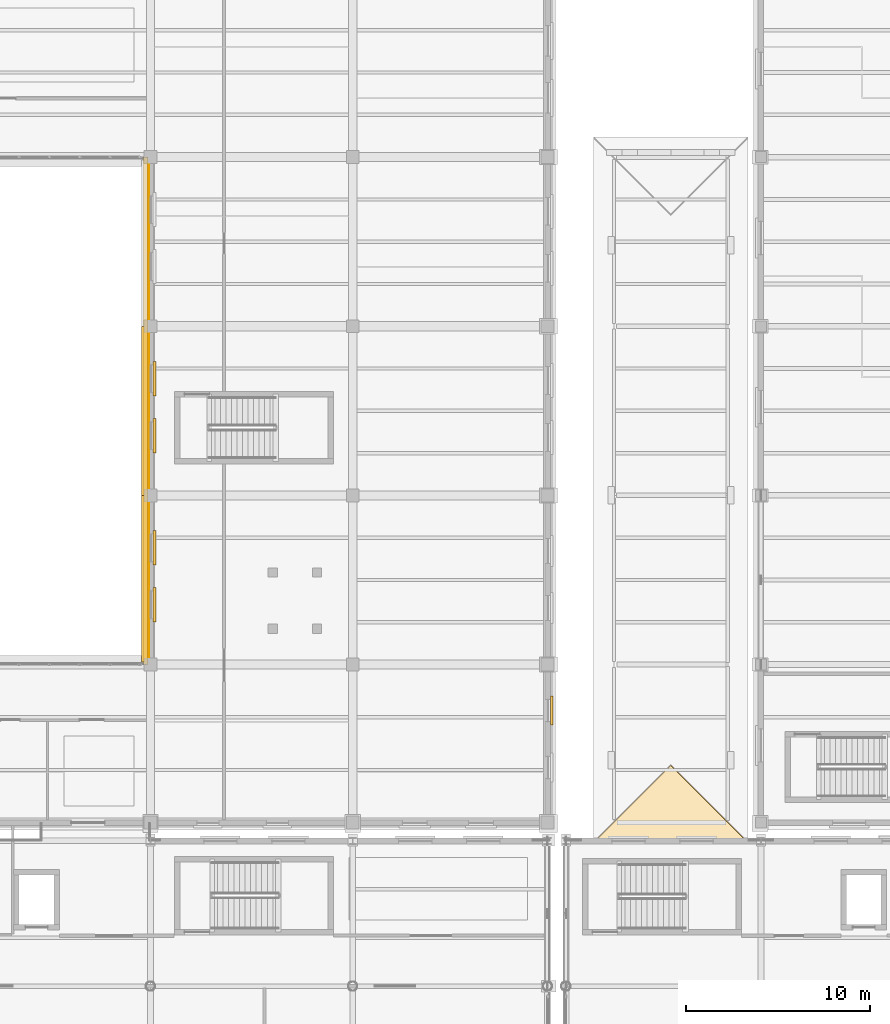
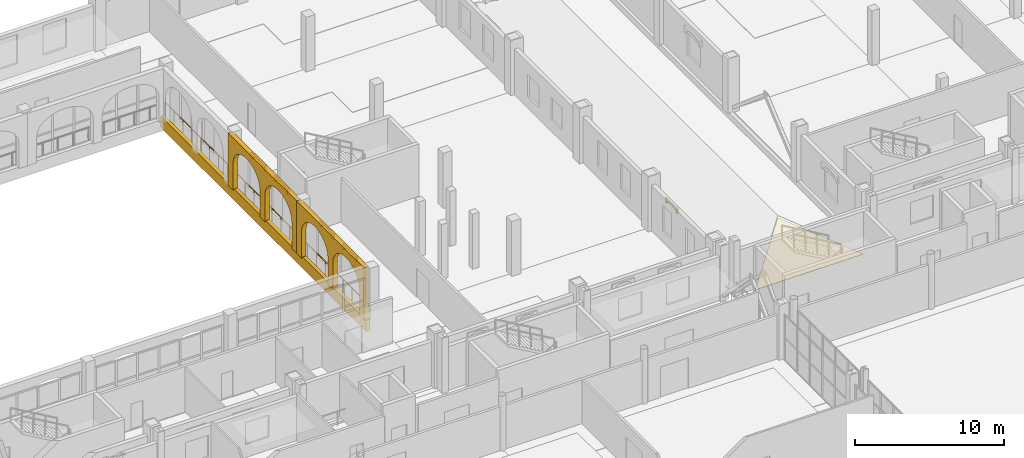
# One storey, part 143 of 156: 9 coverings, 1 railing.
"""IFC4 building model written with IfcOpenShell, lengths in metres."""

from ifc_helpers import new_model, si_unit, direction, frame, frame_2d, origin, origin_2d, place, context, subcontext, project, spatial, polyline, rectangle, circle, outline, extrude, material, layer, layer_set, type_object, element, save


model = new_model("IFC4")

# Units and contexts
model_context = context("Model", 3, precision=1e-05, world=origin(), true_north=direction((0.0, 1.0)))
body_context = subcontext(model_context, "Body", "Model", "MODEL_VIEW")
ifc_project = project(units=[si_unit("LENGTHUNIT", "METRE"), si_unit("AREAUNIT", "SQUARE_METRE"), si_unit("VOLUMEUNIT", "CUBIC_METRE"), si_unit("PLANEANGLEUNIT", "RADIAN"), si_unit("MASSUNIT", "GRAM", prefix="KILO")], contexts=[model_context])

# Site, building, storey
site_placement = place(None, origin())
site = spatial("IfcSite", under=ifc_project, at=site_placement, CompositionType="ELEMENT")
building_placement = place(site_placement, origin())
building = spatial("IfcBuilding", under=site, at=building_placement, Name="Caurita Quay Ferry Terminal", CompositionType="ELEMENT")
storey_placement = place(building_placement, frame((0.0, 0.0, 5.39990234375)))
storey = spatial("IfcBuildingStorey", under=building, at=storey_placement, Name="L01", CompositionType="ELEMENT", Elevation=5.39990234375)

# Coverings
ifc_material_1 = material(Name="Warm-white lime stucco masonry", Category="masonry")
ifc_layer_1 = layer(ifc_material_1, 0.360107421875, Name="Spanish Colonial semicircular lime-stucco portales arcade 360 mm")
ifc_layer_set_1 = layer_set([ifc_layer_1], Name="Warm-white lime stucco masonry")
covering_type_1 = type_object("IfcCoveringType", Name="COV-ARC-CLD", PredefinedType="CLADDING", material=ifc_layer_set_1)
covering_1_placement = place(storey_placement, frame((65.679931640625, 89.39990234375, 0.0), z_axis=(0.0, 0.0, 1.0), x_axis=(0.0, -1.0, 0.0)))
element("IfcCovering", 1, at=covering_1_placement, inside=storey, type_object=covering_type_1, Name="L01 Courtyard East Cloister Arcade 062", PredefinedType="CLADDING", context=body_context, shape_type="SweptSolid", body=[
    extrude(outline(polyline([(0.0, 0.0), (0.64990234375, 0.0), (0.64990234375, 2.14990234375), (0.71044921875, 2.55126953125), (0.8876953125, 2.925048828125), (1.169921875, 3.24609375), (1.537353515625, 3.492431640625), (1.965576171875, 3.647216796875), (2.425048828125, 3.699951171875), (2.88427734375, 3.647216796875), (3.3125, 3.492431640625), (3.679931640625, 3.24609375), (3.962158203125, 2.925048828125), (4.139404296875, 2.55126953125), (4.199951171875, 2.14990234375), (4.199951171875, 0.0), (4.849853515625, 0.0), (4.849853515625, 2.14990234375), (4.910400390625, 2.55126953125), (5.087646484375, 2.925048828125), (5.369873046875, 3.24609375), (5.7373046875, 3.492431640625), (6.16552734375, 3.647216796875), (6.624755859375, 3.699951171875), (7.084228515625, 3.647216796875), (7.51220703125, 3.492431640625), (7.8798828125, 3.24609375), (8.162109375, 2.925048828125), (8.33935546875, 2.55126953125), (8.39990234375, 2.14990234375), (8.39990234375, 0.0), (9.0498046875, 0.0), (9.0498046875, 4.300048828125), (0.0, 4.300048828125), (0.0, 0.0)])), frame((0.0, 0.18017578125, 0.0), z_axis=(0.0, -1.0, 0.0), x_axis=(1.0, 0.0, 0.0)), (0.0, 0.0, 1.0), 0.360107421875),
])
covering_2_placement = place(storey_placement, frame((65.679931640625, 98.60009765625, 0.0), z_axis=(0.0, 0.0, 1.0), x_axis=(0.0, -1.0, 0.0)))
element("IfcCovering", 2, at=covering_2_placement, inside=storey, type_object=covering_type_1, Name="L01 Courtyard East Cloister Arcade 064", PredefinedType="CLADDING", context=body_context, shape_type="SweptSolid", body=[
    extrude(outline(polyline([(0.0, 0.0), (0.64990234375, 0.0), (0.64990234375, 2.14990234375), (0.711669921875, 2.55126953125), (0.892822265625, 2.925048828125), (1.180908203125, 3.24609375), (1.55615234375, 3.492431640625), (1.993408203125, 3.647216796875), (2.462646484375, 3.699951171875), (2.931640625, 3.647216796875), (3.368896484375, 3.492431640625), (3.744140625, 3.24609375), (4.0322265625, 2.925048828125), (4.21337890625, 2.55126953125), (4.275146484375, 2.14990234375), (4.275146484375, 0.0), (4.925048828125, 0.0), (4.925048828125, 2.14990234375), (4.98681640625, 2.55126953125), (5.16796875, 2.925048828125), (5.4560546875, 3.24609375), (5.831298828125, 3.492431640625), (6.2685546875, 3.647216796875), (6.737548828125, 3.699951171875), (7.206787109375, 3.647216796875), (7.64404296875, 3.492431640625), (8.019287109375, 3.24609375), (8.307373046875, 2.925048828125), (8.488525390625, 2.55126953125), (8.55029296875, 2.14990234375), (8.55029296875, 0.0), (9.2001953125, 0.0), (9.2001953125, 4.300048828125), (0.0, 4.300048828125), (0.0, 0.0)])), frame((0.0, 0.18017578125, 0.0), z_axis=(0.0, -1.0, 0.0), x_axis=(1.0, 0.0, 0.0)), (0.0, 0.0, 1.0), 0.360107421875),
])
ifc_material_2 = material(Name="Coral stone ashlar cladding", Category="masonry")
ifc_layer_2 = layer(ifc_material_2, 0.239990234375, Name="Classical coral-stone entablature and cornice moulding 240 mm")
ifc_layer_set_2 = layer_set([ifc_layer_2], Name="Coral stone ashlar cladding")
covering_type_2 = type_object("IfcCoveringType", Name="COV-ENT-MLD", PredefinedType="MOLDING", material=ifc_layer_set_2)
covering_3_placement = place(storey_placement, frame((65.719970703125, 107.800048828125, -0.849853515625), z_axis=(0.0, 0.0, 1.0), x_axis=(0.0, -1.0, 0.0)))
element("IfcCovering", 3, at=covering_3_placement, inside=storey, type_object=covering_type_2, Name="L01 Classical Entablature Cornice 022", PredefinedType="MOLDING", context=body_context, shape_type="SweptSolid", body=[
    extrude(rectangle(XDim=27.60009765625, YDim=0.280029296875, at=frame_2d((13.800048828125, 0.0))), origin(), (0.0, 0.0, 1.0), 0.929931640625),
])
ifc_material_3 = material(Name="Terracotta clay barrel tile", Category="masonry")
ifc_layer_3 = layer(ifc_material_3, 0.06494140625, Name="Terracotta clay barrel-tile roofing course")
ifc_layer_set_3 = layer_set([ifc_layer_3], Name="Terracotta clay barrel tile")
covering_type_3 = type_object("IfcCoveringType", Name="COV-TEJA-ROOF", PredefinedType="ROOFING", material=ifc_layer_set_3)
covering_4_placement = place(storey_placement, frame((90.10009765625, 70.5, -0.139892578125), z_axis=(0.0, -0.417540247903, 0.908658429434), x_axis=(1.0, 0.0, 0.0)))
element("IfcCovering", 4, at=covering_4_placement, inside=storey, type_object=covering_type_3, Name="Terracotta Roof Timber Decking PORTICO-S", PredefinedType="ROOFING", context=body_context, shape_type="SweptSolid", body=[
    extrude(outline(polyline([(0.0, 0.0), (8.39990234375, 0.0), (4.199951171875, 4.622145171196994), (0.0, 0.0)])), origin(), (0.0, 0.0, -1.0), 0.054931640625),
])
ifc_layer_4 = layer(ifc_material_2, 0.139892578125, Name="Spanish Colonial semicircular arched window surround 140 mm")
ifc_layer_set_4 = layer_set([ifc_layer_4], Name="Coral stone ashlar cladding")
covering_type_4 = type_object("IfcCoveringType", Name="COV-WHD-MLD", PredefinedType="MOLDING", material=ifc_layer_set_4)
covering_5_placement = place(storey_placement, frame((87.81494140625, 76.919921875, 3.030029296875), z_axis=(0.0, 0.0, 1.0), x_axis=(0.0, 1.0, 0.0)))
element("IfcCovering", 5, at=covering_5_placement, inside=storey, type_object=covering_type_4, Name="L01 Arched Window Surround 082", PredefinedType="MOLDING", context=body_context, shape_type="SweptSolid", body=[
    extrude(outline(polyline([(0.0, 0.0), (0.159912109375, 0.0), (0.159912109375, 0.0400390625), (0.1904296875, 0.12158203125), (0.2783203125, 0.195068359375), (0.41552734375, 0.253662109375), (0.58837890625, 0.291015625), (0.780029296875, 0.303955078125), (0.9716796875, 0.291015625), (1.14453125, 0.253662109375), (1.28173828125, 0.195068359375), (1.36962890625, 0.12158203125), (1.400146484375, 0.0400390625), (1.400146484375, 0.0), (1.56005859375, 0.0), (1.56005859375, 0.384033203125), (0.0, 0.384033203125), (0.0, 0.0)])), frame((0.0, 0.06982421875, 0.0), z_axis=(0.0, -1.0, 0.0), x_axis=(1.0, 0.0, 0.0)), (0.0, 0.0, 1.0), 0.139892578125),
])
for number, where, z_axis, x_axis, name in (
    (6, (66.215087890625, 82.52001953125, 3.18017578125), (0.0, 0.0, 1.0), (0.0, 1.0, 0.0), "L01 Arched Window Surround 111"),
    (7, (66.215087890625, 85.6201171875, 3.18017578125), (0.0, 0.0, 1.0), (0.0, 1.0, 0.0), "L01 Arched Window Surround 112"),
):
    element("IfcCovering", number, at=place(storey_placement, frame(where, z_axis=z_axis, x_axis=x_axis)), inside=storey, type_object=covering_type_4, Name=name, PredefinedType="MOLDING", context=body_context, shape_type="SweptSolid", body=[
        extrude(outline(polyline([(0.0, 0.0), (0.159912109375, 0.0), (0.159912109375, 0.0400390625), (0.19775390625, 0.1513671875), (0.30712890625, 0.251708984375), (0.477294921875, 0.331298828125), (0.69189453125, 0.38232421875), (0.929931640625, 0.39990234375), (1.16796875, 0.38232421875), (1.382568359375, 0.331298828125), (1.552734375, 0.251708984375), (1.662109375, 0.1513671875), (1.699951171875, 0.0400390625), (1.699951171875, 0.0), (1.85986328125, 0.0), (1.85986328125, 0.47998046875), (0.0, 0.47998046875), (0.0, 0.0)])), frame((0.0, 0.06982421875, 0.0), z_axis=(0.0, -1.0, 0.0), x_axis=(1.0, 0.0, 0.0)), (0.0, 0.0, 1.0), 0.139892578125),
    ])
covering_6_placement = place(storey_placement, frame((66.215087890625, 91.719970703125, 3.18017578125), z_axis=(0.0, 0.0, 1.0), x_axis=(0.0, 1.0, 0.0)))
element("IfcCovering", 8, at=covering_6_placement, inside=storey, type_object=covering_type_4, Name="L01 Arched Window Surround 113", PredefinedType="MOLDING", context=body_context, shape_type="SweptSolid", body=[
    extrude(outline(polyline([(0.0, 0.0), (0.159912109375, 0.0), (0.159912109375, 0.0400390625), (0.19775390625, 0.1513671875), (0.30712890625, 0.251708984375), (0.4775390625, 0.331298828125), (0.692138671875, 0.38232421875), (0.929931640625, 0.39990234375), (1.16796875, 0.38232421875), (1.382568359375, 0.331298828125), (1.552978515625, 0.251708984375), (1.662353515625, 0.1513671875), (1.7001953125, 0.0400390625), (1.7001953125, 0.0), (1.860107421875, 0.0), (1.860107421875, 0.47998046875), (0.0, 0.47998046875), (0.0, 0.0)])), frame((0.0, 0.06982421875, 0.0), z_axis=(0.0, -1.0, 0.0), x_axis=(1.0, 0.0, 0.0)), (0.0, 0.0, 1.0), 0.139892578125),
])
covering_7_placement = place(storey_placement, frame((66.215087890625, 94.820068359375, 3.18017578125), z_axis=(0.0, 0.0, 1.0), x_axis=(0.0, 1.0, 0.0)))
element("IfcCovering", 9, at=covering_7_placement, inside=storey, type_object=covering_type_4, Name="L01 Arched Window Surround 114", PredefinedType="MOLDING", context=body_context, shape_type="SweptSolid", body=[
    extrude(outline(polyline([(0.0, 0.0), (0.159912109375, 0.0), (0.159912109375, 0.0400390625), (0.19775390625, 0.1513671875), (0.30712890625, 0.251708984375), (0.477294921875, 0.331298828125), (0.69189453125, 0.38232421875), (0.929931640625, 0.39990234375), (1.16796875, 0.38232421875), (1.382568359375, 0.331298828125), (1.552734375, 0.251708984375), (1.662109375, 0.1513671875), (1.699951171875, 0.0400390625), (1.699951171875, 0.0), (1.85986328125, 0.0), (1.85986328125, 0.47998046875), (0.0, 0.47998046875), (0.0, 0.0)])), frame((0.0, 0.06982421875, 0.0), z_axis=(0.0, -1.0, 0.0), x_axis=(1.0, 0.0, 0.0)), (0.0, 0.0, 1.0), 0.139892578125),
])

# Railing
ifc_material_4 = material(Name="Bronze architectural metalwork", Category="metal")
railing_type = type_object("IfcRailingType", Name="RL-REJA-115", PredefinedType="BALUSTRADE", material=ifc_material_4)
railing_placement = place(storey_placement, frame((65.89990234375, 80.25, 0.0)))
element("IfcRailing", 10, at=railing_placement, inside=storey, type_object=railing_type, Name="L01 Courtyard Cloister Guard (083)", PredefinedType="BALUSTRADE", context=body_context, shape_type="SweptSolid", body=[
    extrude(circle(Radius=0.02392578125, at=origin_2d()), frame((0.0, 0.0, 1.1259765625), z_axis=(0.0, 1.0, 0.0), x_axis=(-1.0, 0.0, 0.0)), (0.0, 0.0, 1.0), 27.5),
    extrude(circle(Radius=0.02099609375, at=origin_2d()), origin(), (0.0, 0.0, 1.0), 1.101806640625),
    extrude(circle(Radius=0.02099609375, at=origin_2d()), frame((0.0, 1.195556640625, 0.0)), (0.0, 0.0, 1.0), 1.101806640625),
    extrude(circle(Radius=0.02099609375, at=origin_2d()), frame((0.0, 2.391357421875, 0.0)), (0.0, 0.0, 1.0), 1.101806640625),
    extrude(circle(Radius=0.02099609375, at=origin_2d()), frame((0.0, 3.5869140625, 0.0)), (0.0, 0.0, 1.0), 1.101806640625),
    extrude(circle(Radius=0.02099609375, at=origin_2d()), frame((0.0, 4.78271484375, 0.0)), (0.0, 0.0, 1.0), 1.101806640625),
    extrude(circle(Radius=0.02099609375, at=origin_2d()), frame((0.0, 5.978271484375, 0.0)), (0.0, 0.0, 1.0), 1.101806640625),
    extrude(circle(Radius=0.02099609375, at=origin_2d()), frame((0.0, 7.173828125, 0.0)), (0.0, 0.0, 1.0), 1.101806640625),
    extrude(circle(Radius=0.02099609375, at=origin_2d()), frame((0.0, 8.36962890625, 0.0)), (0.0, 0.0, 1.0), 1.101806640625),
    extrude(circle(Radius=0.02099609375, at=origin_2d()), frame((0.0, 9.565185546875, 0.0)), (0.0, 0.0, 1.0), 1.101806640625),
    extrude(circle(Radius=0.02099609375, at=origin_2d()), frame((0.0, 10.760986328125, 0.0)), (0.0, 0.0, 1.0), 1.101806640625),
    extrude(circle(Radius=0.02099609375, at=origin_2d()), frame((0.0, 11.95654296875, 0.0)), (0.0, 0.0, 1.0), 1.101806640625),
    extrude(circle(Radius=0.02099609375, at=origin_2d()), frame((0.0, 13.152099609375, 0.0)), (0.0, 0.0, 1.0), 1.101806640625),
    extrude(circle(Radius=0.02099609375, at=origin_2d()), frame((0.0, 14.347900390625, 0.0)), (0.0, 0.0, 1.0), 1.101806640625),
    extrude(circle(Radius=0.02099609375, at=origin_2d()), frame((0.0, 15.54345703125, 0.0)), (0.0, 0.0, 1.0), 1.101806640625),
    extrude(circle(Radius=0.02099609375, at=origin_2d()), frame((0.0, 16.739013671875, 0.0)), (0.0, 0.0, 1.0), 1.101806640625),
    extrude(circle(Radius=0.02099609375, at=origin_2d()), frame((0.0, 17.934814453125, 0.0)), (0.0, 0.0, 1.0), 1.101806640625),
    extrude(circle(Radius=0.02099609375, at=origin_2d()), frame((0.0, 19.13037109375, 0.0)), (0.0, 0.0, 1.0), 1.101806640625),
    extrude(circle(Radius=0.02099609375, at=origin_2d()), frame((0.0, 20.326171875, 0.0)), (0.0, 0.0, 1.0), 1.101806640625),
    extrude(circle(Radius=0.02099609375, at=origin_2d()), frame((0.0, 21.521728515625, 0.0)), (0.0, 0.0, 1.0), 1.101806640625),
    extrude(circle(Radius=0.02099609375, at=origin_2d()), frame((0.0, 22.71728515625, 0.0)), (0.0, 0.0, 1.0), 1.101806640625),
    extrude(circle(Radius=0.02099609375, at=origin_2d()), frame((0.0, 23.9130859375, 0.0)), (0.0, 0.0, 1.0), 1.101806640625),
    extrude(circle(Radius=0.02099609375, at=origin_2d()), frame((0.0, 25.108642578125, 0.0)), (0.0, 0.0, 1.0), 1.101806640625),
    extrude(circle(Radius=0.02099609375, at=origin_2d()), frame((0.0, 26.304443359375, 0.0)), (0.0, 0.0, 1.0), 1.101806640625),
    extrude(circle(Radius=0.02099609375, at=origin_2d()), frame((0.0, 27.5, 0.0)), (0.0, 0.0, 1.0), 1.101806640625),
])

save(model, "model.ifc")
